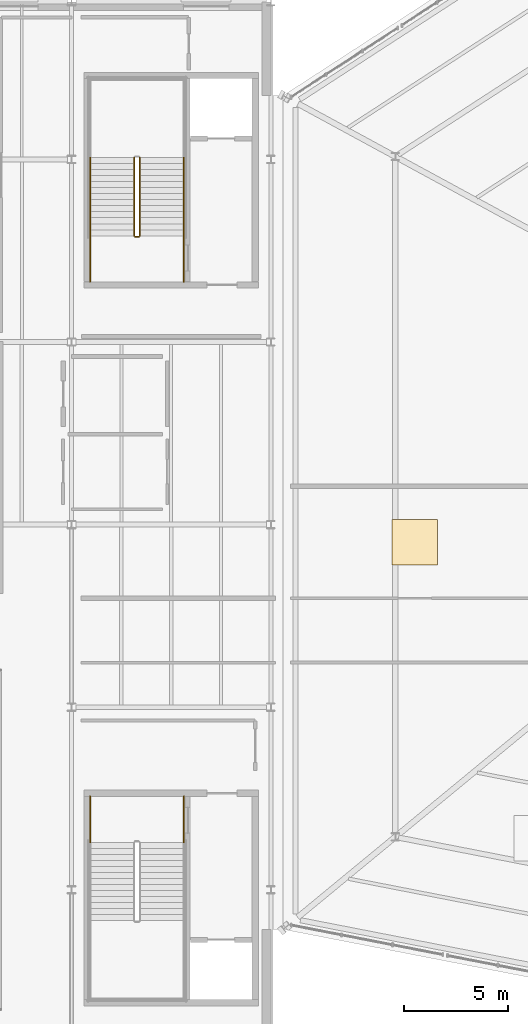
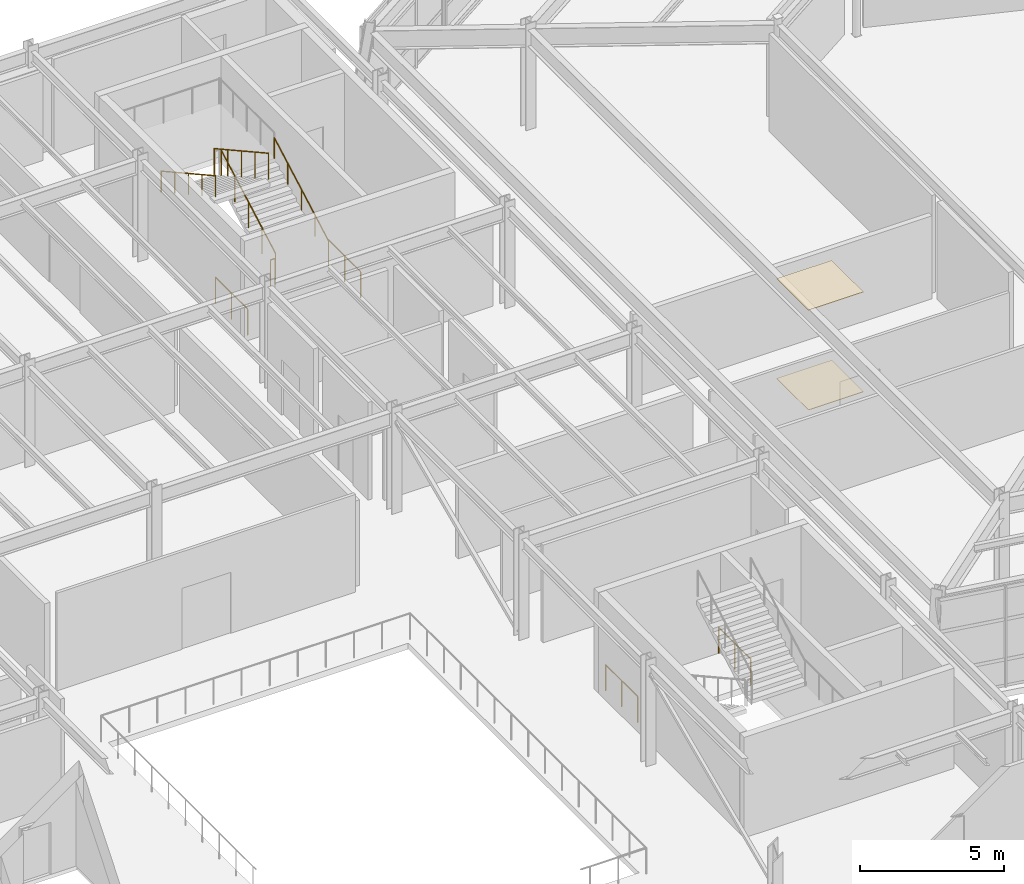
# One storey, part 85 of 88: 9 railings, 2 coverings.
"""IFC4 building model written with IfcOpenShell, lengths in metres."""

from ifc_helpers import new_model, si_unit, direction, frame, origin, origin_2d, place, context, subcontext, project, spatial, rectangle, circle, extrude, material, layer, layer_set, type_object, element, save


model = new_model("IFC4")

# Units and contexts
model_context = context("Model", 3, precision=1e-05, world=origin(), true_north=direction((0.0, 1.0)))
body_context = subcontext(model_context, "Body", "Model", "MODEL_VIEW")
ifc_project = project(units=[si_unit("LENGTHUNIT", "METRE"), si_unit("AREAUNIT", "SQUARE_METRE"), si_unit("VOLUMEUNIT", "CUBIC_METRE"), si_unit("PLANEANGLEUNIT", "RADIAN"), si_unit("MASSUNIT", "GRAM", prefix="KILO")], contexts=[model_context])

# Site, building, storey
site_placement = place(None, origin())
site = spatial("IfcSite", under=ifc_project, at=site_placement, CompositionType="ELEMENT")
building_placement = place(site_placement, origin())
building = spatial("IfcBuilding", under=site, at=building_placement, Name="Sarnbrook Museum", CompositionType="ELEMENT")
storey_placement = place(building_placement, frame((0.0, 0.0, 10.10009765625)))
storey = spatial("IfcBuildingStorey", under=building, at=storey_placement, Name="L02", CompositionType="ELEMENT", Elevation=10.10009765625)

# Coverings
ifc_material_1 = material(Name="Fire-Rated Acoustic Gypsum Plasterboard")
ifc_layer_1 = layer(ifc_material_1, 0.01806640625)
ifc_layer_set_1 = layer_set([ifc_layer_1], Name="Fire-Rated Acoustic Gypsum Plasterboard")
covering_type_1 = type_object("IfcCoveringType", Name="Ceil_Acoustic18", PredefinedType="CEILING", material=ifc_layer_set_1)
covering_1_placement = place(storey_placement, frame((126.13623046875, 82.34765625, 4.221923828125), z_axis=(0.0, 0.0, 1.0), x_axis=(1.0, 0.0, 0.0)))
element("IfcCovering", 1, at=covering_1_placement, inside=storey, type_object=covering_type_1, Name="Acoustic Ceiling Baffle Panel L02-28", PredefinedType="CEILING", context=body_context, shape_type="SweptSolid", body=[
    extrude(rectangle(XDim=2.199951171875, YDim=2.199951171875, at=origin_2d()), origin(), (0.0, 0.0, 1.0), 0.01806640625),
])
ifc_material_2 = material(Name="Honed Bluestone and Marble Terrazzo Flooring", Category="masonry")
ifc_layer_2 = layer(ifc_material_2, 0.02001953125)
ifc_layer_set_2 = layer_set([ifc_layer_2], Name="Honed Bluestone and Marble Terrazzo Flooring")
covering_type_2 = type_object("IfcCoveringType", Name="Floor_Terrazzo20", PredefinedType="FLOORING", material=ifc_layer_set_2)
covering_2_placement = place(storey_placement, frame((126.13623046875, 82.34765625, 0.0), z_axis=(0.0, 0.0, 1.0), x_axis=(1.0, 0.0, 0.0)))
element("IfcCovering", 2, at=covering_2_placement, inside=storey, type_object=covering_type_2, Name="Gallery Floor Finish Panel L02-28", PredefinedType="FLOORING", context=body_context, shape_type="SweptSolid", body=[
    extrude(rectangle(XDim=2.199951171875, YDim=2.199951171875, at=origin_2d()), origin(), (0.0, 0.0, 1.0), 0.02001953125),
])

# Railings
ifc_material_3 = material(Name="Brushed Stainless Steel Grade 316", Category="steel")
ifc_layer_3 = layer(ifc_material_3, 0.050048828125)
ifc_layer_set_3 = layer_set([ifc_layer_3], Name="Brushed Stainless Steel Grade 316")
railing_type_1 = type_object("IfcRailingType", Name="Guard_Int1120", PredefinedType="BALUSTRADE", material=ifc_layer_set_3)
for number, where, name in (
    (3, (110.489990234375, 70.10009765625, 0.0), "L02 ST1 stair guard 8"),
    (4, (115.010009765625, 70.10009765625, 0.0), "L02 ST1 stair guard 9"),
):
    element("IfcRailing", number, at=place(storey_placement, frame(where)), inside=storey, type_object=railing_type_1, Name=name, PredefinedType="BALUSTRADE", context=body_context, shape_type="SweptSolid", body=[
        extrude(circle(Radius=0.02392578125, at=origin_2d()), frame((0.0, 0.0, 1.09619140625), z_axis=(0.0, -1.0, 0.0), x_axis=(1.0, 0.0, 0.0)), (0.0, 0.0, 1.0), 2.22021484375),
        extrude(circle(Radius=0.02099609375, at=origin_2d()), origin(), (0.0, 0.0, 1.0), 1.072021484375),
        extrude(circle(Radius=0.02099609375, at=origin_2d()), frame((0.0, -1.110107421875, 0.0)), (0.0, 0.0, 1.0), 1.072021484375),
        extrude(circle(Radius=0.02099609375, at=origin_2d()), frame((0.0, -2.22021484375, 0.0)), (0.0, 0.0, 1.0), 1.072021484375),
    ])
railing_1_placement = place(storey_placement, frame((112.889892578125, 97.1201171875, 0.16064453125)))
element("IfcRailing", 5, at=railing_1_placement, inside=storey, type_object=railing_type_1, Name="L02 ST2 stair guard 1", PredefinedType="BALUSTRADE", context=body_context, shape_type="SweptSolid", body=[
    extrude(circle(Radius=0.02392578125, at=origin_2d()), frame((0.0, 0.0, 1.09619140625), z_axis=(0.0, 0.874645791573, 0.484762559697), x_axis=(-1.0, 0.0, 0.0)), (0.0, 0.0, 1.0), 4.31005859375),
    extrude(circle(Radius=0.02099609375, at=origin_2d()), origin(), (0.0, 0.0, 1.0), 1.072021484375),
    extrude(circle(Radius=0.02099609375, at=origin_2d()), frame((0.0, 0.9423828125, 0.5224609375)), (0.0, 0.0, 1.0), 1.072021484375),
    extrude(circle(Radius=0.02099609375, at=origin_2d()), frame((0.0, 1.884765625, 1.044677734375)), (0.0, 0.0, 1.0), 1.072021484375),
    extrude(circle(Radius=0.02099609375, at=origin_2d()), frame((0.0, 2.827392578125, 1.56689453125)), (0.0, 0.0, 1.0), 1.072021484375),
    extrude(circle(Radius=0.02099609375, at=origin_2d()), frame((0.0, 3.769775390625, 2.08935546875)), (0.0, 0.0, 1.0), 1.072021484375),
])
railing_2_placement = place(storey_placement, frame((112.610107421875, 100.889892578125, 2.41064453125)))
element("IfcRailing", 6, at=railing_2_placement, inside=storey, type_object=railing_type_1, Name="L02 ST2 stair guard 6", PredefinedType="BALUSTRADE", context=body_context, shape_type="SweptSolid", body=[
    extrude(circle(Radius=0.02392578125, at=origin_2d()), frame((0.0, 0.0, 1.09619140625), z_axis=(0.0, -0.874645791573, 0.484762559697), x_axis=(1.0, 0.0, 0.0)), (0.0, 0.0, 1.0), 4.31005859375),
    extrude(circle(Radius=0.02099609375, at=origin_2d()), origin(), (0.0, 0.0, 1.0), 1.072021484375),
    extrude(circle(Radius=0.02099609375, at=origin_2d()), frame((0.0, -0.9423828125, 0.5224609375)), (0.0, 0.0, 1.0), 1.072021484375),
    extrude(circle(Radius=0.02099609375, at=origin_2d()), frame((0.0, -1.884765625, 1.044677734375)), (0.0, 0.0, 1.0), 1.072021484375),
    extrude(circle(Radius=0.02099609375, at=origin_2d()), frame((0.0, -2.827392578125, 1.56689453125)), (0.0, 0.0, 1.0), 1.072021484375),
    extrude(circle(Radius=0.02099609375, at=origin_2d()), frame((0.0, -3.769775390625, 2.08935546875)), (0.0, 0.0, 1.0), 1.072021484375),
])
railing_3_placement = place(storey_placement, frame((112.840087890625, 97.070068359375, 0.0)))
element("IfcRailing", 7, at=railing_3_placement, inside=storey, type_object=railing_type_1, Name="L02 ST2 stair guard 7", PredefinedType="BALUSTRADE", context=body_context, shape_type="SweptSolid", body=[
    extrude(circle(Radius=0.02392578125, at=origin_2d()), frame((0.0, 0.0, 1.09619140625), z_axis=(-1.0, 0.0, 0.0), x_axis=(0.0, -1.0, 0.0)), (0.0, 0.0, 1.0), 0.18017578125),
    extrude(circle(Radius=0.02099609375, at=origin_2d()), origin(), (0.0, 0.0, 1.0), 1.072021484375),
    extrude(circle(Radius=0.02099609375, at=origin_2d()), frame((-0.18017578125, 0.0, 0.0)), (0.0, 0.0, 1.0), 1.072021484375),
])
for number, where, name in (
    (8, (115.010009765625, 94.89990234375, 0.0), "L02 ST2 stair guard 8"),
    (9, (110.489990234375, 94.89990234375, 0.0), "L02 ST2 stair guard 9"),
):
    element("IfcRailing", number, at=place(storey_placement, frame(where)), inside=storey, type_object=railing_type_1, Name=name, PredefinedType="BALUSTRADE", context=body_context, shape_type="SweptSolid", body=[
        extrude(circle(Radius=0.02392578125, at=origin_2d()), frame((0.0, 0.0, 1.09619140625), z_axis=(0.0, 1.0, 0.0), x_axis=(-1.0, 0.0, 0.0)), (0.0, 0.0, 1.0), 2.22021484375),
        extrude(circle(Radius=0.02099609375, at=origin_2d()), origin(), (0.0, 0.0, 1.0), 1.072021484375),
        extrude(circle(Radius=0.02099609375, at=origin_2d()), frame((0.0, 1.110107421875, 0.0)), (0.0, 0.0, 1.0), 1.072021484375),
        extrude(circle(Radius=0.02099609375, at=origin_2d()), frame((0.0, 2.22021484375, 0.0)), (0.0, 0.0, 1.0), 1.072021484375),
    ])
ifc_layer_4 = layer(ifc_material_3, 0.048095703125)
ifc_layer_set_4 = layer_set([ifc_layer_4], Name="Brushed Stainless Steel Grade 316")
railing_type_2 = type_object("IfcRailingType", Name="Handrail_920", PredefinedType="HANDRAIL", material=ifc_layer_set_4)
railing_4_placement = place(storey_placement, frame((115.010009765625, 97.1201171875, 0.16064453125)))
element("IfcRailing", 10, at=railing_4_placement, inside=storey, type_object=railing_type_2, Name="L02 ST2 stair handrail 1", PredefinedType="HANDRAIL", context=body_context, shape_type="SweptSolid", body=[
    extrude(circle(Radius=0.02392578125, at=origin_2d()), frame((0.0, 0.0, 0.8857421875), z_axis=(0.0, 0.874645791573, 0.484762559697), x_axis=(-1.0, 0.0, 0.0)), (0.0, 0.0, 1.0), 4.31005859375),
    extrude(circle(Radius=0.02099609375, at=origin_2d()), origin(), (0.0, 0.0, 1.0), 0.86181640625),
    extrude(circle(Radius=0.02099609375, at=origin_2d()), frame((0.0, 0.9423828125, 0.5224609375)), (0.0, 0.0, 1.0), 0.86181640625),
    extrude(circle(Radius=0.02099609375, at=origin_2d()), frame((0.0, 1.884765625, 1.044677734375)), (0.0, 0.0, 1.0), 0.86181640625),
    extrude(circle(Radius=0.02099609375, at=origin_2d()), frame((0.0, 2.827392578125, 1.56689453125)), (0.0, 0.0, 1.0), 0.86181640625),
    extrude(circle(Radius=0.02099609375, at=origin_2d()), frame((0.0, 3.769775390625, 2.08935546875)), (0.0, 0.0, 1.0), 0.86181640625),
])
railing_5_placement = place(storey_placement, frame((110.489990234375, 100.889892578125, 2.41064453125)))
element("IfcRailing", 11, at=railing_5_placement, inside=storey, type_object=railing_type_2, Name="L02 ST2 stair handrail 2", PredefinedType="HANDRAIL", context=body_context, shape_type="SweptSolid", body=[
    extrude(circle(Radius=0.02392578125, at=origin_2d()), frame((0.0, 0.0, 0.8857421875), z_axis=(0.0, -0.874645791573, 0.484762559697), x_axis=(1.0, 0.0, 0.0)), (0.0, 0.0, 1.0), 4.31005859375),
    extrude(circle(Radius=0.02099609375, at=origin_2d()), origin(), (0.0, 0.0, 1.0), 0.86181640625),
    extrude(circle(Radius=0.02099609375, at=origin_2d()), frame((0.0, -0.9423828125, 0.5224609375)), (0.0, 0.0, 1.0), 0.86181640625),
    extrude(circle(Radius=0.02099609375, at=origin_2d()), frame((0.0, -1.884765625, 1.044677734375)), (0.0, 0.0, 1.0), 0.86181640625),
    extrude(circle(Radius=0.02099609375, at=origin_2d()), frame((0.0, -2.827392578125, 1.56689453125)), (0.0, 0.0, 1.0), 0.86181640625),
    extrude(circle(Radius=0.02099609375, at=origin_2d()), frame((0.0, -3.769775390625, 2.08935546875)), (0.0, 0.0, 1.0), 0.86181640625),
])

save(model, "model.ifc")
